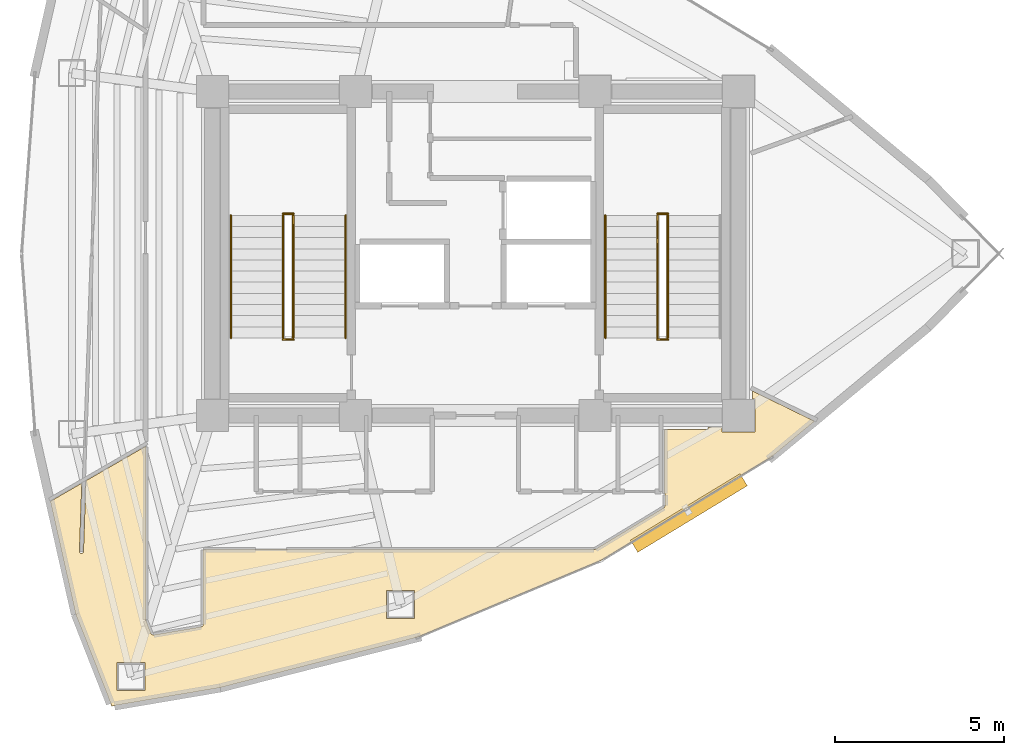
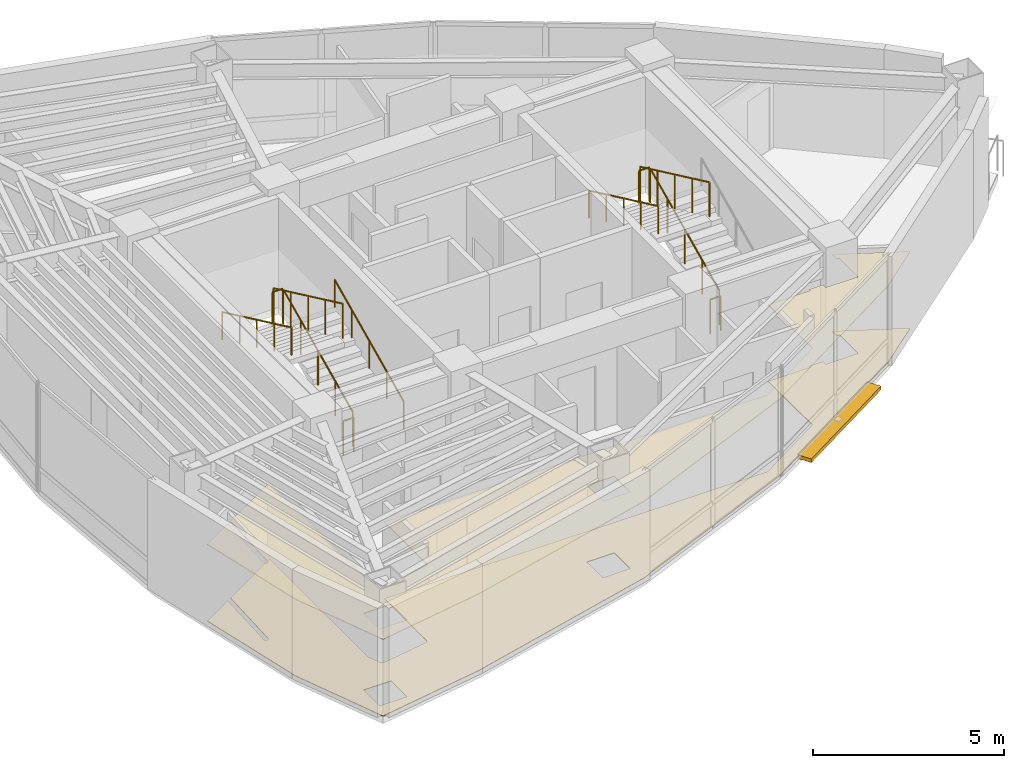
# One storey, part 14 of 16: 11 railings, 2 coverings, 1 shading device.
"""IFC4 building model written with IfcOpenShell, lengths in metres."""

from ifc_helpers import new_model, si_unit, direction, frame, origin, origin_2d, place, context, subcontext, project, spatial, polyline, rectangle, circle, outline, extrude, material, layer, layer_set, type_object, element, save


model = new_model("IFC4")

# Units and contexts
model_context = context("Model", 3, precision=1e-05, world=origin(), true_north=direction((0.0, 1.0)))
body_context = subcontext(model_context, "Body", "Model", "MODEL_VIEW")
ifc_project = project(units=[si_unit("LENGTHUNIT", "METRE"), si_unit("AREAUNIT", "SQUARE_METRE"), si_unit("VOLUMEUNIT", "CUBIC_METRE"), si_unit("PLANEANGLEUNIT", "RADIAN"), si_unit("MASSUNIT", "GRAM", prefix="KILO")], contexts=[model_context])

# Site, building, storey
site_placement = place(None, origin())
site = spatial("IfcSite", under=ifc_project, at=site_placement, CompositionType="ELEMENT")
building_placement = place(site_placement, origin())
building = spatial("IfcBuilding", under=site, at=building_placement, Name="Menara Vayukalpa", CompositionType="ELEMENT")
storey_placement = place(building_placement, frame((0.0, 0.0, 273.179931640625)))
storey = spatial("IfcBuildingStorey", under=building, at=storey_placement, Name="L69", CompositionType="ELEMENT", Elevation=273.179931640625)

# Coverings
ifc_material_1 = material(Name="Mineral Fibre Acoustic Ceiling Tile", Category="masonry")
ifc_layer_1 = layer(ifc_material_1, 0.02490234375)
ifc_layer_set_1 = layer_set([ifc_layer_1], Name="Mineral Fibre Acoustic Ceiling Tile")
covering_type_1 = type_object("IfcCoveringType", Name="COV-CLG1", PredefinedType="CEILING", material=ifc_layer_set_1)
covering_1_placement = place(storey_placement, frame((0.0, 0.0, 2.449951171875)))
element("IfcCovering", 1, at=covering_1_placement, inside=storey, type_object=covering_type_1, Name="L69 Client Conference Room Acoustic Ceiling", PredefinedType="CEILING", context=body_context, shape_type="SweptSolid", body=[
    extrude(outline(polyline([(23.878662109375, 10.624755859375), (23.877197265625, 10.624267578125), (18.028564453125, 9.1328125), (18.027587890625, 9.132568359375), (14.82861328125, 8.58935546875), (14.827392578125, 8.589111328125), (14.826416015625, 8.589111328125), (14.82568359375, 8.58935546875), (14.82470703125, 8.58935546875), (14.82373046875, 8.589599609375), (14.82275390625, 8.590087890625), (14.822021484375, 8.590576171875), (14.821044921875, 8.591064453125), (14.8203125, 8.591552734375), (14.819580078125, 8.59228515625), (14.81884765625, 8.593017578125), (14.818359375, 8.59375), (14.81787109375, 8.5947265625), (14.8173828125, 8.595458984375), (13.751953125, 11.308837890625), (13.751708984375, 11.309814453125), (13.75146484375, 11.310302734375), (13.00048828125, 14.648193359375), (13.000244140625, 14.649169921875), (13.000244140625, 14.650146484375), (13.000244140625, 14.651123046875), (13.000244140625, 14.652099609375), (13.00048828125, 14.653076171875), (13.0009765625, 14.654052734375), (13.001220703125, 14.65478515625), (13.001708984375, 14.65576171875), (13.002197265625, 14.656494140625), (13.0029296875, 14.6572265625), (13.003662109375, 14.657958984375), (13.00439453125, 14.658447265625), (13.005126953125, 14.6591796875), (13.916015625, 15.184814453125), (13.916748046875, 15.185302734375), (13.917724609375, 15.185791015625), (13.918701171875, 15.185791015625), (13.91943359375, 15.18603515625), (13.92041015625, 15.186279296875), (13.92138671875, 15.186279296875), (13.92236328125, 15.18603515625), (13.92333984375, 15.185791015625), (13.92431640625, 15.185546875), (13.92529296875, 15.185302734375), (13.926025390625, 15.184814453125), (13.927001953125, 15.18408203125), (13.927490234375, 15.18359375), (13.92822265625, 15.182861328125), (13.928955078125, 15.18212890625), (13.929443359375, 15.181396484375), (13.929931640625, 15.180419921875), (13.930419921875, 15.1796875), (13.9306640625, 15.1787109375), (13.930908203125, 15.177734375), (13.930908203125, 15.1767578125), (13.930908203125, 15.17578125), (13.861083984375, 13.17333984375), (13.861083984375, 13.167236328125), (13.86181640625, 13.161376953125), (13.863037109375, 13.155517578125), (13.86474609375, 13.14990234375), (13.8671875, 13.14453125), (13.869873046875, 13.139404296875), (13.873291015625, 13.134521484375), (13.876953125, 13.130126953125), (13.881103515625, 13.1259765625), (13.8857421875, 13.122314453125), (13.890869140625, 13.119140625), (13.89599609375, 13.116455078125), (13.901611328125, 13.1142578125), (13.9072265625, 13.112548828125), (13.912841796875, 13.111572265625), (13.918701171875, 13.111083984375), (13.9248046875, 13.111083984375), (13.9306640625, 13.11181640625), (13.936279296875, 13.113037109375), (13.94189453125, 13.114990234375), (13.947265625, 13.1171875), (13.952392578125, 13.1201171875), (13.95751953125, 13.123291015625), (13.9619140625, 13.127197265625), (13.9658203125, 13.13134765625), (13.969482421875, 13.135986328125), (13.972900390625, 13.140869140625), (13.9755859375, 13.14599609375), (13.9775390625, 13.151611328125), (13.9794921875, 13.1572265625), (13.98046875, 13.1630859375), (13.98095703125, 13.169189453125), (14.053955078125, 15.259033203125), (14.053955078125, 15.26025390625), (14.05419921875, 15.26123046875), (14.054443359375, 15.26220703125), (14.054931640625, 15.26318359375), (14.055419921875, 15.263916015625), (14.055908203125, 15.264892578125), (14.056396484375, 15.265625), (14.057373046875, 15.266357421875), (14.05810546875, 15.266845703125), (14.058837890625, 15.267578125), (15.81494140625, 16.281494140625), (15.81591796875, 16.28173828125), (15.81689453125, 16.2822265625), (15.81787109375, 16.282470703125), (15.81884765625, 16.28271484375), (15.81982421875, 16.28271484375), (15.82080078125, 16.28271484375), (15.82177734375, 16.282470703125), (15.82275390625, 16.2822265625), (15.82373046875, 16.281982421875), (15.82470703125, 16.281494140625), (15.825439453125, 16.281005859375), (15.826171875, 16.280517578125), (15.826904296875, 16.27978515625), (15.82763671875, 16.279052734375), (15.828369140625, 16.2783203125), (15.828857421875, 16.277587890625), (15.8291015625, 16.276611328125), (15.82958984375, 16.275634765625), (15.829833984375, 16.274658203125), (15.830078125, 16.273681640625), (15.830078125, 16.272705078125), (15.830078125, 11.146484375), (15.830322265625, 11.1396484375), (15.831298828125, 11.13330078125), (15.832763671875, 11.126708984375), (15.8349609375, 11.12060546875), (15.984619140625, 10.7392578125), (15.987548828125, 10.732666015625), (15.990966796875, 10.726806640625), (15.994873046875, 10.72119140625), (15.999267578125, 10.716064453125), (16.00439453125, 10.71142578125), (16.009765625, 10.707275390625), (16.015625, 10.70361328125), (16.021484375, 10.700439453125), (16.02783203125, 10.697998046875), (16.034423828125, 10.6962890625), (16.041259765625, 10.695068359375), (16.048095703125, 10.694580078125), (16.054931640625, 10.694580078125), (16.06201171875, 10.695556640625), (17.471435546875, 10.934814453125), (17.478515625, 10.936279296875), (17.485107421875, 10.938720703125), (17.49169921875, 10.94140625), (17.497802734375, 10.94482421875), (17.50341796875, 10.94921875), (17.5087890625, 10.95361328125), (17.513427734375, 10.958740234375), (17.517822265625, 10.96435546875), (17.521484375, 10.97021484375), (17.5244140625, 10.9765625), (17.52685546875, 10.983154296875), (17.528564453125, 10.989990234375), (17.529541015625, 10.996826171875), (17.530029296875, 11.004150390625), (17.530029296875, 13.2099609375), (17.530029296875, 13.2109375), (17.5302734375, 13.2119140625), (17.530517578125, 13.212890625), (17.53076171875, 13.2138671875), (17.53125, 13.214599609375), (17.53173828125, 13.215576171875), (17.5322265625, 13.21630859375), (17.532958984375, 13.217041015625), (17.53369140625, 13.2177734375), (17.534423828125, 13.21826171875), (17.535400390625, 13.21875), (17.5361328125, 13.21923828125), (17.537109375, 13.219482421875), (17.5380859375, 13.2197265625), (17.5390625, 13.219970703125), (17.5400390625, 13.219970703125), (29.109619140625, 13.219970703125), (29.11669921875, 13.220458984375), (29.12353515625, 13.221435546875), (29.13037109375, 13.22314453125), (29.13720703125, 13.2255859375), (29.153076171875, 13.232177734375), (29.157958984375, 13.234375), (29.16259765625, 13.237060546875), (31.18603515625, 14.46630859375), (31.1923828125, 14.470458984375), (31.19775390625, 14.47509765625), (31.20263671875, 14.480224609375), (31.20703125, 14.48583984375), (31.2109375, 14.491943359375), (31.214111328125, 14.498291015625), (31.216552734375, 14.5048828125), (31.218505859375, 14.511962890625), (31.219482421875, 14.51904296875), (31.219970703125, 14.5263671875), (31.219970703125, 14.849609375), (31.219482421875, 14.856689453125), (31.21875, 14.86376953125), (31.217041015625, 14.870361328125), (31.214599609375, 14.876708984375), (31.2119140625, 14.8828125), (31.211669921875, 14.883056640625), (31.211181640625, 14.8837890625), (31.210693359375, 14.884765625), (31.21044921875, 14.8857421875), (31.210205078125, 14.88671875), (31.2099609375, 14.8876953125), (31.2099609375, 14.888671875), (31.2099609375, 16.780029296875), (31.2099609375, 16.781005859375), (31.210205078125, 16.781982421875), (31.21044921875, 16.782958984375), (31.210693359375, 16.78369140625), (31.211181640625, 16.78466796875), (31.211669921875, 16.78564453125), (31.21240234375, 16.786376953125), (31.212890625, 16.787109375), (31.213623046875, 16.78759765625), (31.21435546875, 16.788330078125), (31.21533203125, 16.788818359375), (31.21630859375, 16.789306640625), (31.217041015625, 16.78955078125), (31.218017578125, 16.789794921875), (31.218994140625, 16.7900390625), (31.219970703125, 16.7900390625), (32.489990234375, 16.7900390625), (32.489990234375, 16.85009765625), (32.909912109375, 16.85009765625), (32.909912109375, 16.7099609375), (33.889892578125, 16.7099609375), (33.889892578125, 17.68994140625), (33.81005859375, 17.68994140625), (33.81005859375, 17.9130859375), (33.81005859375, 17.9140625), (33.810302734375, 17.914794921875), (33.810302734375, 17.916015625), (33.810791015625, 17.916748046875), (33.81103515625, 17.91748046875), (33.8115234375, 17.91845703125), (33.812255859375, 17.919189453125), (33.812744140625, 17.919921875), (33.8134765625, 17.920654296875), (33.814208984375, 17.921142578125), (33.815185546875, 17.921630859375), (33.81591796875, 17.922119140625), (33.81689453125, 17.922607421875), (33.81787109375, 17.9228515625), (33.81884765625, 17.9228515625), (33.819580078125, 17.923095703125), (33.82080078125, 17.923095703125), (33.821533203125, 17.9228515625), (33.822509765625, 17.922607421875), (33.823486328125, 17.92236328125), (33.824462890625, 17.922119140625), (35.638916015625, 17.037109375), (35.6396484375, 17.03662109375), (35.640380859375, 17.035888671875), (35.64111328125, 17.035400390625), (35.641845703125, 17.03466796875), (35.642578125, 17.03369140625), (35.64306640625, 17.032958984375), (35.6435546875, 17.031982421875), (35.643798828125, 17.031005859375), (35.644287109375, 17.0302734375), (35.644287109375, 17.029296875), (35.644287109375, 17.0283203125), (35.644287109375, 17.027099609375), (35.644287109375, 17.026123046875), (35.64404296875, 17.025146484375), (35.643798828125, 17.0244140625), (35.643310546875, 17.0234375), (35.642822265625, 17.0224609375), (35.64208984375, 17.021728515625), (35.6416015625, 17.02099609375), (35.640869140625, 17.020263671875), (34.374755859375, 15.97021484375), (34.37353515625, 15.969482421875), (29.3271484375, 12.904052734375), (29.326416015625, 12.90380859375), (29.32568359375, 12.9033203125), (23.878662109375, 10.624755859375)]), holes=[polyline([(14.97412109375, 9.870361328125), (14.97412109375, 9.040283203125), (15.80419921875, 9.040283203125), (15.80419921875, 9.870361328125), (14.97412109375, 9.870361328125)]), polyline([(23.796875, 12.01025390625), (22.966796875, 12.01025390625), (22.966796875, 11.18017578125), (23.796875, 11.18017578125), (23.796875, 12.01025390625)])]), origin(), (0.0, 0.0, 1.0), 0.025146484375),
])
ifc_material_2 = material(Name="Porcelain Stoneware Floor Tile", Category="masonry")
ifc_layer_2 = layer(ifc_material_2, 0.02001953125)
ifc_layer_set_2 = layer_set([ifc_layer_2], Name="Porcelain Stoneware Floor Tile")
covering_type_2 = type_object("IfcCoveringType", Name="COV-FLR1", PredefinedType="FLOORING", material=ifc_layer_set_2)
covering_2_placement = place(storey_placement, origin())
element("IfcCovering", 2, at=covering_2_placement, inside=storey, type_object=covering_type_2, Name="L69 Client Conference Room Porcelain Flooring", PredefinedType="FLOORING", context=body_context, shape_type="SweptSolid", body=[
    extrude(outline(polyline([(23.878662109375, 10.624755859375), (23.877197265625, 10.624267578125), (18.028564453125, 9.1328125), (18.027587890625, 9.132568359375), (14.82861328125, 8.58935546875), (14.827392578125, 8.589111328125), (14.826416015625, 8.589111328125), (14.82568359375, 8.58935546875), (14.82470703125, 8.58935546875), (14.82373046875, 8.589599609375), (14.82275390625, 8.590087890625), (14.822021484375, 8.590576171875), (14.821044921875, 8.591064453125), (14.8203125, 8.591552734375), (14.819580078125, 8.59228515625), (14.81884765625, 8.593017578125), (14.818359375, 8.59375), (14.81787109375, 8.5947265625), (14.8173828125, 8.595458984375), (13.751953125, 11.308837890625), (13.751708984375, 11.309814453125), (13.75146484375, 11.310302734375), (13.00048828125, 14.648193359375), (13.000244140625, 14.649169921875), (13.000244140625, 14.650146484375), (13.000244140625, 14.651123046875), (13.000244140625, 14.652099609375), (13.00048828125, 14.653076171875), (13.0009765625, 14.654052734375), (13.001220703125, 14.65478515625), (13.001708984375, 14.65576171875), (13.002197265625, 14.656494140625), (13.0029296875, 14.6572265625), (13.003662109375, 14.657958984375), (13.00439453125, 14.658447265625), (13.005126953125, 14.6591796875), (13.916015625, 15.184814453125), (13.916748046875, 15.185302734375), (13.917724609375, 15.185791015625), (13.918701171875, 15.185791015625), (13.91943359375, 15.18603515625), (13.92041015625, 15.186279296875), (13.92138671875, 15.186279296875), (13.92236328125, 15.18603515625), (13.92333984375, 15.185791015625), (13.92431640625, 15.185546875), (13.92529296875, 15.185302734375), (13.926025390625, 15.184814453125), (13.927001953125, 15.18408203125), (13.927490234375, 15.18359375), (13.92822265625, 15.182861328125), (13.928955078125, 15.18212890625), (13.929443359375, 15.181396484375), (13.929931640625, 15.180419921875), (13.930419921875, 15.1796875), (13.9306640625, 15.1787109375), (13.930908203125, 15.177734375), (13.930908203125, 15.1767578125), (13.930908203125, 15.17578125), (13.861083984375, 13.17333984375), (13.861083984375, 13.167236328125), (13.86181640625, 13.161376953125), (13.863037109375, 13.155517578125), (13.86474609375, 13.14990234375), (13.8671875, 13.14453125), (13.869873046875, 13.139404296875), (13.873291015625, 13.134521484375), (13.876953125, 13.130126953125), (13.881103515625, 13.1259765625), (13.8857421875, 13.122314453125), (13.890869140625, 13.119140625), (13.89599609375, 13.116455078125), (13.901611328125, 13.1142578125), (13.9072265625, 13.112548828125), (13.912841796875, 13.111572265625), (13.918701171875, 13.111083984375), (13.9248046875, 13.111083984375), (13.9306640625, 13.11181640625), (13.936279296875, 13.113037109375), (13.94189453125, 13.114990234375), (13.947265625, 13.1171875), (13.952392578125, 13.1201171875), (13.95751953125, 13.123291015625), (13.9619140625, 13.127197265625), (13.9658203125, 13.13134765625), (13.969482421875, 13.135986328125), (13.972900390625, 13.140869140625), (13.9755859375, 13.14599609375), (13.9775390625, 13.151611328125), (13.9794921875, 13.1572265625), (13.98046875, 13.1630859375), (13.98095703125, 13.169189453125), (14.053955078125, 15.259033203125), (14.053955078125, 15.26025390625), (14.05419921875, 15.26123046875), (14.054443359375, 15.26220703125), (14.054931640625, 15.26318359375), (14.055419921875, 15.263916015625), (14.055908203125, 15.264892578125), (14.056396484375, 15.265625), (14.057373046875, 15.266357421875), (14.05810546875, 15.266845703125), (14.058837890625, 15.267578125), (15.81494140625, 16.281494140625), (15.81591796875, 16.28173828125), (15.81689453125, 16.2822265625), (15.81787109375, 16.282470703125), (15.81884765625, 16.28271484375), (15.81982421875, 16.28271484375), (15.82080078125, 16.28271484375), (15.82177734375, 16.282470703125), (15.82275390625, 16.2822265625), (15.82373046875, 16.281982421875), (15.82470703125, 16.281494140625), (15.825439453125, 16.281005859375), (15.826171875, 16.280517578125), (15.826904296875, 16.27978515625), (15.82763671875, 16.279052734375), (15.828369140625, 16.2783203125), (15.828857421875, 16.277587890625), (15.8291015625, 16.276611328125), (15.82958984375, 16.275634765625), (15.829833984375, 16.274658203125), (15.830078125, 16.273681640625), (15.830078125, 16.272705078125), (15.830078125, 11.146484375), (15.830322265625, 11.1396484375), (15.831298828125, 11.13330078125), (15.832763671875, 11.126708984375), (15.8349609375, 11.12060546875), (15.984619140625, 10.7392578125), (15.987548828125, 10.732666015625), (15.990966796875, 10.726806640625), (15.994873046875, 10.72119140625), (15.999267578125, 10.716064453125), (16.00439453125, 10.71142578125), (16.009765625, 10.707275390625), (16.015625, 10.70361328125), (16.021484375, 10.700439453125), (16.02783203125, 10.697998046875), (16.034423828125, 10.6962890625), (16.041259765625, 10.695068359375), (16.048095703125, 10.694580078125), (16.054931640625, 10.694580078125), (16.06201171875, 10.695556640625), (17.471435546875, 10.934814453125), (17.478515625, 10.936279296875), (17.485107421875, 10.938720703125), (17.49169921875, 10.94140625), (17.497802734375, 10.94482421875), (17.50341796875, 10.94921875), (17.5087890625, 10.95361328125), (17.513427734375, 10.958740234375), (17.517822265625, 10.96435546875), (17.521484375, 10.97021484375), (17.5244140625, 10.9765625), (17.52685546875, 10.983154296875), (17.528564453125, 10.989990234375), (17.529541015625, 10.996826171875), (17.530029296875, 11.004150390625), (17.530029296875, 13.2099609375), (17.530029296875, 13.2109375), (17.5302734375, 13.2119140625), (17.530517578125, 13.212890625), (17.53076171875, 13.2138671875), (17.53125, 13.214599609375), (17.53173828125, 13.215576171875), (17.5322265625, 13.21630859375), (17.532958984375, 13.217041015625), (17.53369140625, 13.2177734375), (17.534423828125, 13.21826171875), (17.535400390625, 13.21875), (17.5361328125, 13.21923828125), (17.537109375, 13.219482421875), (17.5380859375, 13.2197265625), (17.5390625, 13.219970703125), (17.5400390625, 13.219970703125), (29.109619140625, 13.219970703125), (29.11669921875, 13.220458984375), (29.12353515625, 13.221435546875), (29.13037109375, 13.22314453125), (29.13720703125, 13.2255859375), (29.153076171875, 13.232177734375), (29.157958984375, 13.234375), (29.16259765625, 13.237060546875), (31.18603515625, 14.46630859375), (31.1923828125, 14.470458984375), (31.19775390625, 14.47509765625), (31.20263671875, 14.480224609375), (31.20703125, 14.48583984375), (31.2109375, 14.491943359375), (31.214111328125, 14.498291015625), (31.216552734375, 14.5048828125), (31.218505859375, 14.511962890625), (31.219482421875, 14.51904296875), (31.219970703125, 14.5263671875), (31.219970703125, 14.849609375), (31.219482421875, 14.856689453125), (31.21875, 14.86376953125), (31.217041015625, 14.870361328125), (31.214599609375, 14.876708984375), (31.2119140625, 14.8828125), (31.211669921875, 14.883056640625), (31.211181640625, 14.8837890625), (31.210693359375, 14.884765625), (31.21044921875, 14.8857421875), (31.210205078125, 14.88671875), (31.2099609375, 14.8876953125), (31.2099609375, 14.888671875), (31.2099609375, 16.780029296875), (31.2099609375, 16.781005859375), (31.210205078125, 16.781982421875), (31.21044921875, 16.782958984375), (31.210693359375, 16.78369140625), (31.211181640625, 16.78466796875), (31.211669921875, 16.78564453125), (31.21240234375, 16.786376953125), (31.212890625, 16.787109375), (31.213623046875, 16.78759765625), (31.21435546875, 16.788330078125), (31.21533203125, 16.788818359375), (31.21630859375, 16.789306640625), (31.217041015625, 16.78955078125), (31.218017578125, 16.789794921875), (31.218994140625, 16.7900390625), (31.219970703125, 16.7900390625), (32.489990234375, 16.7900390625), (32.489990234375, 16.85009765625), (32.909912109375, 16.85009765625), (32.909912109375, 16.7099609375), (33.889892578125, 16.7099609375), (33.889892578125, 17.68994140625), (33.81005859375, 17.68994140625), (33.81005859375, 17.9130859375), (33.81005859375, 17.9140625), (33.810302734375, 17.914794921875), (33.810302734375, 17.916015625), (33.810791015625, 17.916748046875), (33.81103515625, 17.91748046875), (33.8115234375, 17.91845703125), (33.812255859375, 17.919189453125), (33.812744140625, 17.919921875), (33.8134765625, 17.920654296875), (33.814208984375, 17.921142578125), (33.815185546875, 17.921630859375), (33.81591796875, 17.922119140625), (33.81689453125, 17.922607421875), (33.81787109375, 17.9228515625), (33.81884765625, 17.9228515625), (33.819580078125, 17.923095703125), (33.82080078125, 17.923095703125), (33.821533203125, 17.9228515625), (33.822509765625, 17.922607421875), (33.823486328125, 17.92236328125), (33.824462890625, 17.922119140625), (35.638916015625, 17.037109375), (35.6396484375, 17.03662109375), (35.640380859375, 17.035888671875), (35.64111328125, 17.035400390625), (35.641845703125, 17.03466796875), (35.642578125, 17.03369140625), (35.64306640625, 17.032958984375), (35.6435546875, 17.031982421875), (35.643798828125, 17.031005859375), (35.644287109375, 17.0302734375), (35.644287109375, 17.029296875), (35.644287109375, 17.0283203125), (35.644287109375, 17.027099609375), (35.644287109375, 17.026123046875), (35.64404296875, 17.025146484375), (35.643798828125, 17.0244140625), (35.643310546875, 17.0234375), (35.642822265625, 17.0224609375), (35.64208984375, 17.021728515625), (35.6416015625, 17.02099609375), (35.640869140625, 17.020263671875), (34.374755859375, 15.97021484375), (34.37353515625, 15.969482421875), (29.3271484375, 12.904052734375), (29.326416015625, 12.90380859375), (29.32568359375, 12.9033203125), (23.878662109375, 10.624755859375)]), holes=[polyline([(14.97412109375, 9.870361328125), (14.97412109375, 9.040283203125), (15.80419921875, 9.040283203125), (15.80419921875, 9.870361328125), (14.97412109375, 9.870361328125)]), polyline([(23.796875, 12.01025390625), (22.966796875, 12.01025390625), (22.966796875, 11.18017578125), (23.796875, 11.18017578125), (23.796875, 12.01025390625)])]), origin(), (0.0, 0.0, 1.0), 0.02001953125),
])

# Railings
ifc_material_3 = material(Name="Powder-Coated Galvanised Steel Guardrail", Category="steel")
railing_type_1 = type_object("IfcRailingType", Name="RLG-STG110", PredefinedType="GUARDRAIL", material=ifc_material_3)
railing_1_placement = place(storey_placement, frame((20.199951171875, 19.5, 0.155029296875)))
element("IfcRailing", 3, at=railing_1_placement, inside=storey, type_object=railing_type_1, Name="L69 ST-1 stair guard 1", PredefinedType="GUARDRAIL", context=body_context, shape_type="SweptSolid", body=[
    extrude(circle(Radius=0.02392578125, at=origin_2d()), frame((0.0, 0.0, 1.09619140625), z_axis=(0.0, 0.90511648382, 0.425163675209), x_axis=(-1.0, 0.0, 0.0)), (0.0, 0.0, 1.0), 4.010498046875),
    extrude(circle(Radius=0.02099609375, at=origin_2d()), origin(), (0.0, 0.0, 1.0), 1.072021484375),
    extrude(circle(Radius=0.02099609375, at=origin_2d()), frame((0.0, 0.907470703125, 0.42626953125)), (0.0, 0.0, 1.0), 1.072021484375),
    extrude(circle(Radius=0.02099609375, at=origin_2d()), frame((0.0, 1.81494140625, 0.8525390625)), (0.0, 0.0, 1.0), 1.072021484375),
    extrude(circle(Radius=0.02099609375, at=origin_2d()), frame((0.0, 2.722412109375, 1.27880859375)), (0.0, 0.0, 1.0), 1.072021484375),
    extrude(circle(Radius=0.02099609375, at=origin_2d()), frame((0.0, 3.6298828125, 1.705078125)), (0.0, 0.0, 1.0), 1.072021484375),
])
railing_2_placement = place(storey_placement, frame((20.2099609375, 23.179931640625, 1.860107421875)))
element("IfcRailing", 4, at=railing_2_placement, inside=storey, type_object=railing_type_1, Name="L69 ST-1 stair guard 2", PredefinedType="GUARDRAIL", context=body_context, shape_type="SweptSolid", body=[
    extrude(circle(Radius=0.02392578125, at=origin_2d()), frame((0.0, 0.0, 1.09619140625), z_axis=(-1.0, 0.0, 0.0), x_axis=(0.0, -1.0, 0.0)), (0.0, 0.0, 1.0), 0.320068359375),
    extrude(circle(Radius=0.02099609375, at=origin_2d()), origin(), (0.0, 0.0, 1.0), 1.072021484375),
    extrude(circle(Radius=0.02099609375, at=origin_2d()), frame((-0.320068359375, 0.0, 0.0)), (0.0, 0.0, 1.0), 1.072021484375),
])
railing_3_placement = place(storey_placement, frame((19.89990234375, 23.1298828125, 2.01513671875)))
element("IfcRailing", 5, at=railing_3_placement, inside=storey, type_object=railing_type_1, Name="L69 ST-1 stair guard 3", PredefinedType="GUARDRAIL", context=body_context, shape_type="SweptSolid", body=[
    extrude(circle(Radius=0.02392578125, at=origin_2d()), frame((0.0, 0.0, 1.09619140625), z_axis=(0.0, -0.90513990983, 0.425113800803), x_axis=(1.0, 0.0, 0.0)), (0.0, 0.0, 1.0), 4.01025390625),
    extrude(circle(Radius=0.02099609375, at=origin_2d()), origin(), (0.0, 0.0, 1.0), 1.072021484375),
    extrude(circle(Radius=0.02099609375, at=origin_2d()), frame((0.0, -0.907470703125, 0.42626953125)), (0.0, 0.0, 1.0), 1.072021484375),
    extrude(circle(Radius=0.02099609375, at=origin_2d()), frame((0.0, -1.81494140625, 0.8525390625)), (0.0, 0.0, 1.0), 1.072021484375),
    extrude(circle(Radius=0.02099609375, at=origin_2d()), frame((0.0, -2.722412109375, 1.278564453125)), (0.0, 0.0, 1.0), 1.072021484375),
    extrude(circle(Radius=0.02099609375, at=origin_2d()), frame((0.0, -3.6298828125, 1.704833984375)), (0.0, 0.0, 1.0), 1.072021484375),
])
railing_4_placement = place(storey_placement, frame((20.2099609375, 19.449951171875, 0.0)))
element("IfcRailing", 6, at=railing_4_placement, inside=storey, type_object=railing_type_1, Name="L69 ST-1 stair guard 4", PredefinedType="GUARDRAIL", context=body_context, shape_type="SweptSolid", body=[
    extrude(circle(Radius=0.02392578125, at=origin_2d()), frame((0.0, 0.0, 1.09619140625), z_axis=(-1.0, 0.0, 0.0), x_axis=(0.0, -1.0, 0.0)), (0.0, 0.0, 1.0), 0.320068359375),
    extrude(circle(Radius=0.02099609375, at=origin_2d()), origin(), (0.0, 0.0, 1.0), 1.072021484375),
    extrude(circle(Radius=0.02099609375, at=origin_2d()), frame((-0.320068359375, 0.0, 0.0)), (0.0, 0.0, 1.0), 1.072021484375),
])
railing_5_placement = place(storey_placement, frame((31.300048828125, 19.5, 0.155029296875)))
element("IfcRailing", 7, at=railing_5_placement, inside=storey, type_object=railing_type_1, Name="L69 ST-2 stair guard 1", PredefinedType="GUARDRAIL", context=body_context, shape_type="SweptSolid", body=[
    extrude(circle(Radius=0.02392578125, at=origin_2d()), frame((0.0, 0.0, 1.09619140625), z_axis=(0.0, 0.90511648382, 0.425163675209), x_axis=(-1.0, 0.0, 0.0)), (0.0, 0.0, 1.0), 4.010498046875),
    extrude(circle(Radius=0.02099609375, at=origin_2d()), origin(), (0.0, 0.0, 1.0), 1.072021484375),
    extrude(circle(Radius=0.02099609375, at=origin_2d()), frame((0.0, 0.907470703125, 0.42626953125)), (0.0, 0.0, 1.0), 1.072021484375),
    extrude(circle(Radius=0.02099609375, at=origin_2d()), frame((0.0, 1.81494140625, 0.8525390625)), (0.0, 0.0, 1.0), 1.072021484375),
    extrude(circle(Radius=0.02099609375, at=origin_2d()), frame((0.0, 2.722412109375, 1.27880859375)), (0.0, 0.0, 1.0), 1.072021484375),
    extrude(circle(Radius=0.02099609375, at=origin_2d()), frame((0.0, 3.6298828125, 1.705078125)), (0.0, 0.0, 1.0), 1.072021484375),
])
railing_6_placement = place(storey_placement, frame((31.31005859375, 23.179931640625, 1.860107421875)))
element("IfcRailing", 8, at=railing_6_placement, inside=storey, type_object=railing_type_1, Name="L69 ST-2 stair guard 2", PredefinedType="GUARDRAIL", context=body_context, shape_type="SweptSolid", body=[
    extrude(circle(Radius=0.02392578125, at=origin_2d()), frame((0.0, 0.0, 1.09619140625), z_axis=(-1.0, 0.0, 0.0), x_axis=(0.0, -1.0, 0.0)), (0.0, 0.0, 1.0), 0.320068359375),
    extrude(circle(Radius=0.02099609375, at=origin_2d()), origin(), (0.0, 0.0, 1.0), 1.072021484375),
    extrude(circle(Radius=0.02099609375, at=origin_2d()), frame((-0.320068359375, 0.0, 0.0)), (0.0, 0.0, 1.0), 1.072021484375),
])
railing_7_placement = place(storey_placement, frame((31.0, 23.1298828125, 2.01513671875)))
element("IfcRailing", 9, at=railing_7_placement, inside=storey, type_object=railing_type_1, Name="L69 ST-2 stair guard 3", PredefinedType="GUARDRAIL", context=body_context, shape_type="SweptSolid", body=[
    extrude(circle(Radius=0.02392578125, at=origin_2d()), frame((0.0, 0.0, 1.09619140625), z_axis=(0.0, -0.90513990983, 0.425113800803), x_axis=(1.0, 0.0, 0.0)), (0.0, 0.0, 1.0), 4.01025390625),
    extrude(circle(Radius=0.02099609375, at=origin_2d()), origin(), (0.0, 0.0, 1.0), 1.072021484375),
    extrude(circle(Radius=0.02099609375, at=origin_2d()), frame((0.0, -0.907470703125, 0.42626953125)), (0.0, 0.0, 1.0), 1.072021484375),
    extrude(circle(Radius=0.02099609375, at=origin_2d()), frame((0.0, -1.81494140625, 0.8525390625)), (0.0, 0.0, 1.0), 1.072021484375),
    extrude(circle(Radius=0.02099609375, at=origin_2d()), frame((0.0, -2.722412109375, 1.278564453125)), (0.0, 0.0, 1.0), 1.072021484375),
    extrude(circle(Radius=0.02099609375, at=origin_2d()), frame((0.0, -3.6298828125, 1.704833984375)), (0.0, 0.0, 1.0), 1.072021484375),
])
railing_8_placement = place(storey_placement, frame((31.31005859375, 19.449951171875, 0.0)))
element("IfcRailing", 10, at=railing_8_placement, inside=storey, type_object=railing_type_1, Name="L69 ST-2 stair guard 4", PredefinedType="GUARDRAIL", context=body_context, shape_type="SweptSolid", body=[
    extrude(circle(Radius=0.02392578125, at=origin_2d()), frame((0.0, 0.0, 1.09619140625), z_axis=(-1.0, 0.0, 0.0), x_axis=(0.0, -1.0, 0.0)), (0.0, 0.0, 1.0), 0.320068359375),
    extrude(circle(Radius=0.02099609375, at=origin_2d()), origin(), (0.0, 0.0, 1.0), 1.072021484375),
    extrude(circle(Radius=0.02099609375, at=origin_2d()), frame((-0.320068359375, 0.0, 0.0)), (0.0, 0.0, 1.0), 1.072021484375),
])
ifc_material_4 = material(Name="Stainless Steel 316 Tubular Handrail", Category="steel")
railing_type_2 = type_object("IfcRailingType", Name="RLG-STH090", PredefinedType="HANDRAIL", material=ifc_material_4)
railing_9_placement = place(storey_placement, frame((21.75, 19.5, 0.155029296875)))
element("IfcRailing", 11, at=railing_9_placement, inside=storey, type_object=railing_type_2, Name="L69 ST-1 stair handrail 1", PredefinedType="HANDRAIL", context=body_context, shape_type="SweptSolid", body=[
    extrude(circle(Radius=0.02392578125, at=origin_2d()), frame((0.0, 0.0, 0.8759765625), z_axis=(0.0, 0.90511648382, 0.425163675209), x_axis=(-1.0, 0.0, 0.0)), (0.0, 0.0, 1.0), 4.010498046875),
    extrude(circle(Radius=0.02099609375, at=origin_2d()), origin(), (0.0, 0.0, 1.0), 0.851806640625),
    extrude(circle(Radius=0.02099609375, at=origin_2d()), frame((0.0, 0.907470703125, 0.42626953125)), (0.0, 0.0, 1.0), 0.851806640625),
    extrude(circle(Radius=0.02099609375, at=origin_2d()), frame((0.0, 1.81494140625, 0.8525390625)), (0.0, 0.0, 1.0), 0.851806640625),
    extrude(circle(Radius=0.02099609375, at=origin_2d()), frame((0.0, 2.722412109375, 1.27880859375)), (0.0, 0.0, 1.0), 0.851806640625),
    extrude(circle(Radius=0.02099609375, at=origin_2d()), frame((0.0, 3.6298828125, 1.705078125)), (0.0, 0.0, 1.0), 0.851806640625),
])
for number, where, name in (
    (12, (18.35009765625, 23.1298828125, 2.01513671875), "L69 ST-1 stair handrail 2"),
    (13, (29.449951171875, 23.1298828125, 2.01513671875), "L69 ST-2 stair handrail 2"),
):
    element("IfcRailing", number, at=place(storey_placement, frame(where)), inside=storey, type_object=railing_type_2, Name=name, PredefinedType="HANDRAIL", context=body_context, shape_type="SweptSolid", body=[
        extrude(circle(Radius=0.02392578125, at=origin_2d()), frame((0.0, 0.0, 0.8759765625), z_axis=(0.0, -0.90513990983, 0.425113800803), x_axis=(1.0, 0.0, 0.0)), (0.0, 0.0, 1.0), 4.01025390625),
        extrude(circle(Radius=0.02099609375, at=origin_2d()), origin(), (0.0, 0.0, 1.0), 0.851806640625),
        extrude(circle(Radius=0.02099609375, at=origin_2d()), frame((0.0, -0.907470703125, 0.42626953125)), (0.0, 0.0, 1.0), 0.851806640625),
        extrude(circle(Radius=0.02099609375, at=origin_2d()), frame((0.0, -1.81494140625, 0.8525390625)), (0.0, 0.0, 1.0), 0.851806640625),
        extrude(circle(Radius=0.02099609375, at=origin_2d()), frame((0.0, -2.722412109375, 1.278564453125)), (0.0, 0.0, 1.0), 0.851806640625),
        extrude(circle(Radius=0.02099609375, at=origin_2d()), frame((0.0, -3.6298828125, 1.704833984375)), (0.0, 0.0, 1.0), 0.851806640625),
    ])

# Shading device
ifc_material_5 = material(Name="Glazed Terracotta Ceramic Baguette Extrusion", Category="masonry")
ifc_layer_3 = layer(ifc_material_5, 0.1201171875)
ifc_layer_set_3 = layer_set([ifc_layer_3], Name="Glazed Terracotta Ceramic Baguette Extrusion")
shading_device_type = type_object("IfcShadingDeviceType", Name="SHD-SS1", PredefinedType="USERDEFINED", material=ifc_layer_set_3)
shading_device_placement = place(storey_placement, frame((31.927978515625, 14.30859375, -0.10009765625), z_axis=(0.0, 0.0, 1.0), x_axis=(0.85466730962, 0.519176068272, 0.0)))
element("IfcShadingDevice", 14, at=shading_device_placement, inside=storey, type_object=shading_device_type, Name="L69 Horizontal Terracotta Sunshade Band 17", ObjectType="SUNSHADE", PredefinedType="USERDEFINED", context=body_context, shape_type="SweptSolid", body=[
    extrude(rectangle(XDim=3.800048828125, YDim=0.419921875, at=origin_2d()), origin(), (0.0, 0.0, 1.0), 0.1201171875),
])

save(model, "model.ifc")
